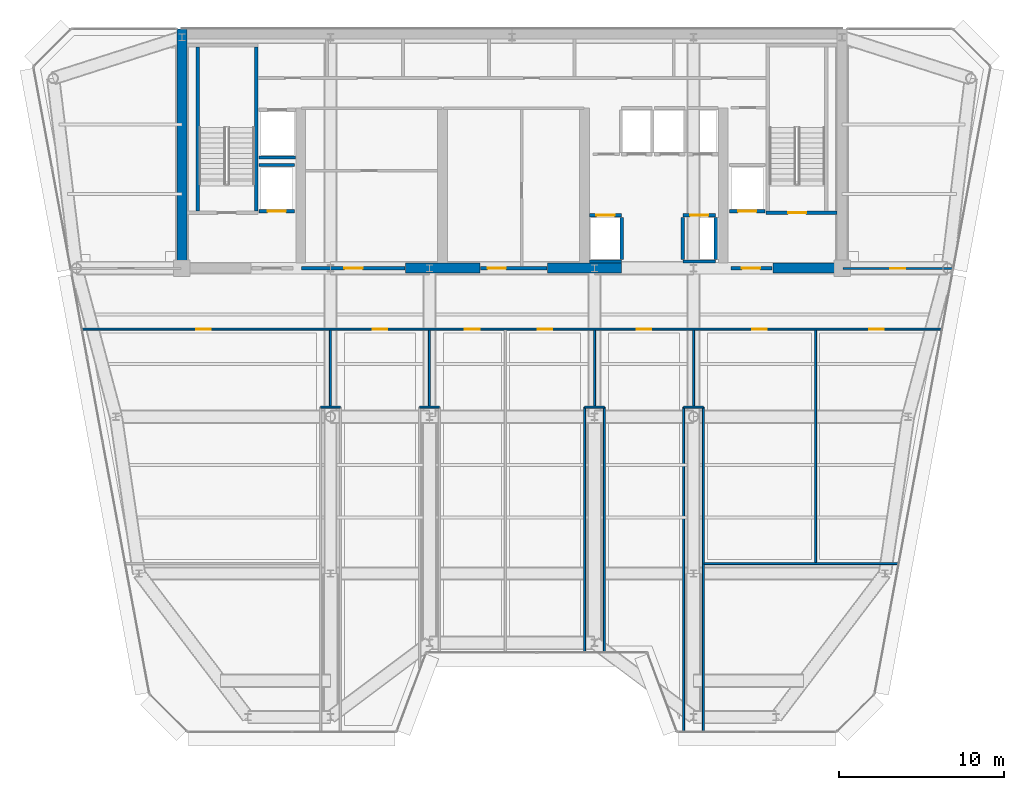
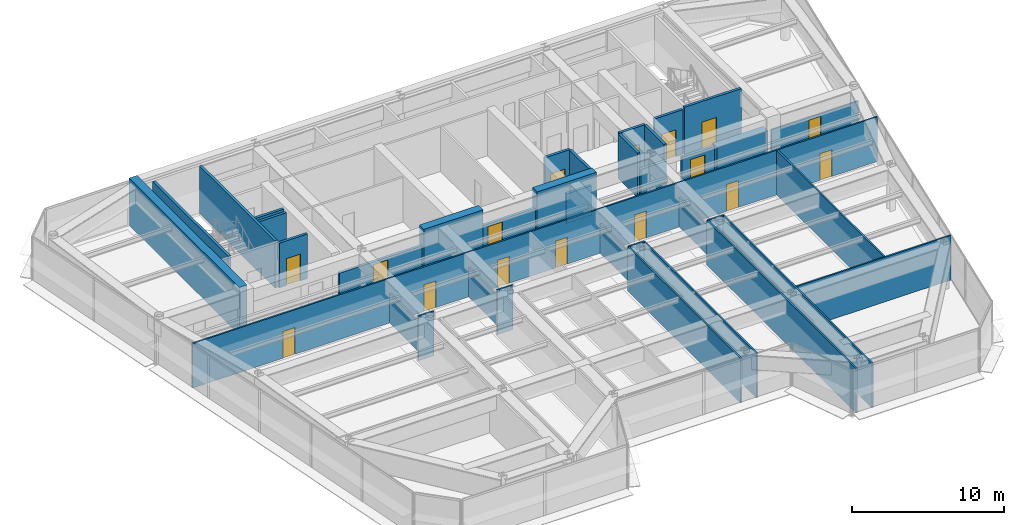
# One storey, part 11 of 17: 37 walls, 16 doors, 16 openings.
"""IFC4 building model written with IfcOpenShell, lengths in metres."""

from ifc_helpers import new_model, si_unit, direction, frame, frame_2d, origin, place, context, subcontext, project, spatial, rectangle, extrude, source, transform, mapped, material, layer, layer_set, type_object, element, fill, save


model = new_model("IFC4")

# Units and contexts
model_context = context("Model", 3, precision=1e-05, world=origin(), true_north=direction((0.0, 1.0)))
body_context = subcontext(model_context, "Body", "Model", "MODEL_VIEW")
ifc_project = project(units=[si_unit("LENGTHUNIT", "METRE"), si_unit("AREAUNIT", "SQUARE_METRE"), si_unit("VOLUMEUNIT", "CUBIC_METRE"), si_unit("PLANEANGLEUNIT", "RADIAN"), si_unit("MASSUNIT", "GRAM", prefix="KILO")], contexts=[model_context])

# Site, building, storey
site_placement = place(None, origin())
site = spatial("IfcSite", under=ifc_project, at=site_placement, CompositionType="ELEMENT")
building_placement = place(site_placement, origin())
building = spatial("IfcBuilding", under=site, at=building_placement, Name="Vaeldorn Concourse Tower", CompositionType="ELEMENT")
storey_placement = place(building_placement, frame((0.0, 0.0, 234.60009765625)))
storey = spatial("IfcBuildingStorey", under=building, at=storey_placement, Name="L60", CompositionType="ELEMENT", Elevation=234.60009765625)

# Walls
ifc_material_1 = material(Name="Concrete C50/60", Category="concrete")
ifc_layer_1 = layer(ifc_material_1, 0.60009765625)
ifc_layer_set_1 = layer_set([ifc_layer_1], Name="Concrete C50/60")
wall_type_1 = type_object("IfcWallType", Name="WL-CORE-600", PredefinedType="SHEAR", material=ifc_layer_set_1)
wall_1_placement = place(storey_placement, frame((14.0, 36.5, 0.0), z_axis=(0.0, 0.0, 1.0), x_axis=(0.0, 1.0, 0.0)))
element("IfcWall", 1, at=wall_1_placement, inside=storey, type_object=wall_type_1, Name="Rear Core Shear Wall L60 W1", PredefinedType="SHEAR", context=body_context, shape_type="SweptSolid", body=[
    extrude(rectangle(XDim=14.5, YDim=0.60009765625, at=frame_2d((7.25, 0.0))), origin(), (0.0, 0.0, 1.0), 3.7998046875),
])
for number, where, z_axis, x_axis, name in (
    (2, (27.550048828125, 36.5, 0.0), (0.0, 0.0, 1.0), (1.0, 0.0, 0.0), "Rear Core Shear Wall L60 S2"),
    (3, (36.14990234375, 36.5, 0.0), (0.0, 0.0, 1.0), (1.0, 0.0, 0.0), "Rear Core Shear Wall L60 S3"),
):
    element("IfcWall", number, at=place(storey_placement, frame(where, z_axis=z_axis, x_axis=x_axis)), inside=storey, type_object=wall_type_1, Name=name, PredefinedType="SHEAR", context=body_context, shape_type="SweptSolid", body=[
        extrude(rectangle(XDim=4.5, YDim=0.60009765625, at=frame_2d((2.25, 0.0))), origin(), (0.0, 0.0, 1.0), 3.7998046875),
    ])
wall_2_placement = place(storey_placement, frame((49.800048828125, 36.5, 0.0), z_axis=(0.0, 0.0, 1.0), x_axis=(1.0, 0.0, 0.0)))
element("IfcWall", 4, at=wall_2_placement, inside=storey, type_object=wall_type_1, Name="Rear Core Shear Wall L60 S4", PredefinedType="SHEAR", context=body_context, shape_type="SweptSolid", body=[
    extrude(rectangle(XDim=3.8798828125, YDim=0.60009765625, at=frame_2d((1.93994140625, 0.0))), origin(), (0.0, 0.0, 1.0), 2.579833984375),
])

# Wall, openings, doors
ifc_material_2 = material(Name="Gypsum Board Partition", Category="gypsum")
ifc_layer_2 = layer(ifc_material_2, 0.1201171875)
ifc_layer_set_2 = layer_set([ifc_layer_2], Name="Gypsum Board Partition")
wall_type_2 = type_object("IfcWallType", Name="WL-PART-120", PredefinedType="PARTITIONING", material=ifc_layer_set_2)
wall_3_placement = place(storey_placement, frame((7.981201171875, 32.800048828125, 0.0), z_axis=(0.0, 0.0, 1.0), x_axis=(1.0, 0.0, 0.0)))
wall_3 = element("IfcWall", 5, at=wall_3_placement, inside=storey, type_object=wall_type_2, Name="Interior Wall PW-L60-C2S", PredefinedType="PARTITIONING", context=body_context, shape_type="SweptSolid", body=[
    extrude(rectangle(XDim=52.03759765625, YDim=0.1201171875, at=frame_2d((26.018798828125, 0.0))), origin(), (0.0, 0.0, 1.0), 3.579833984375),
])
opening_1_placement = place(wall_3_placement, frame((6.87890625, 0.0, 0.0)))
opening_1 = element("IfcOpeningElement", 6, at=opening_1_placement, cuts=wall_3, Name="Opening D-03", PredefinedType="OPENING", context=body_context, shape_type="SweptSolid", body=[
    extrude(rectangle(XDim=0.89990234375, YDim=2.14990234375, at=frame_2d((0.449951171875, 1.074951171875))), frame((0.0, 0.070068359375, 0.0), z_axis=(0.0, -1.0, 0.0), x_axis=(1.0, 0.0, 0.0)), (0.0, 0.0, 1.0), 0.14013671875),
])
opening_2_placement = place(wall_3_placement, frame((17.569091796875, 0.0, 0.0)))
opening_2 = element("IfcOpeningElement", 7, at=opening_2_placement, cuts=wall_3, Name="Opening D-03", PredefinedType="OPENING", context=body_context, shape_type="SweptSolid", body=[
    extrude(rectangle(XDim=0.89990234375, YDim=2.14990234375, at=frame_2d((0.449951171875, 1.074951171875))), frame((0.0, 0.070068359375, 0.0), z_axis=(0.0, -1.0, 0.0), x_axis=(1.0, 0.0, 0.0)), (0.0, 0.0, 1.0), 0.14013671875),
])
opening_3_placement = place(wall_3_placement, frame((23.1689453125, 0.0, 0.0)))
opening_3 = element("IfcOpeningElement", 8, at=opening_3_placement, cuts=wall_3, Name="Opening D-03", PredefinedType="OPENING", context=body_context, shape_type="SweptSolid", body=[
    extrude(rectangle(XDim=0.89990234375, YDim=2.14990234375, at=frame_2d((0.449951171875, 1.074951171875))), frame((0.0, 0.070068359375, 0.0), z_axis=(0.0, -1.0, 0.0), x_axis=(1.0, 0.0, 0.0)), (0.0, 0.0, 1.0), 0.14013671875),
])
opening_4_placement = place(wall_3_placement, frame((27.569091796875, 0.0, 0.0)))
opening_4 = element("IfcOpeningElement", 9, at=opening_4_placement, cuts=wall_3, Name="Opening D-03", PredefinedType="OPENING", context=body_context, shape_type="SweptSolid", body=[
    extrude(rectangle(XDim=0.89990234375, YDim=2.14990234375, at=frame_2d((0.449951171875, 1.074951171875))), frame((0.0, 0.070068359375, 0.0), z_axis=(0.0, -1.0, 0.0), x_axis=(1.0, 0.0, 0.0)), (0.0, 0.0, 1.0), 0.14013671875),
])
opening_5_placement = place(wall_3_placement, frame((33.569091796875, 0.0, 0.0)))
opening_5 = element("IfcOpeningElement", 10, at=opening_5_placement, cuts=wall_3, Name="Opening D-03", PredefinedType="OPENING", context=body_context, shape_type="SweptSolid", body=[
    extrude(rectangle(XDim=0.89990234375, YDim=2.14990234375, at=frame_2d((0.449951171875, 1.074951171875))), frame((0.0, 0.070068359375, 0.0), z_axis=(0.0, -1.0, 0.0), x_axis=(1.0, 0.0, 0.0)), (0.0, 0.0, 1.0), 0.14013671875),
])
opening_6_placement = place(wall_3_placement, frame((40.569091796875, 0.0, 0.0)))
opening_6 = element("IfcOpeningElement", 11, at=opening_6_placement, cuts=wall_3, Name="Opening D-03", PredefinedType="OPENING", context=body_context, shape_type="SweptSolid", body=[
    extrude(rectangle(XDim=0.89990234375, YDim=2.14990234375, at=frame_2d((0.449951171875, 1.074951171875))), frame((0.0, 0.070068359375, 0.0), z_axis=(0.0, -1.0, 0.0), x_axis=(1.0, 0.0, 0.0)), (0.0, 0.0, 1.0), 0.14013671875),
])
opening_7_placement = place(wall_3_placement, frame((47.657958984375, 0.0, 0.0)))
opening_7 = element("IfcOpeningElement", 12, at=opening_7_placement, cuts=wall_3, Name="Opening D-03", PredefinedType="OPENING", context=body_context, shape_type="SweptSolid", body=[
    extrude(rectangle(XDim=0.89990234375, YDim=2.14990234375, at=frame_2d((0.449951171875, 1.074951171875))), frame((0.0, 0.070068359375, 0.0), z_axis=(0.0, -1.0, 0.0), x_axis=(1.0, 0.0, 0.0)), (0.0, 0.0, 1.0), 0.14013671875),
])
ifc_material_3 = material(Name="Acoustic Bronze-Framed Glass Door", Category="glass")
door_type_1 = type_object("IfcDoorType", Name="DR-INT-900", OperationType="NOTDEFINED", PredefinedType="DOOR", material=ifc_material_3)
shared_shape_1 = source(origin(), body_context, "Body", "SweptSolid", [
    extrude(rectangle(XDim=0.89990234375, YDim=2.14990234375, at=frame_2d((0.449951171875, 1.074951171875))), frame((0.0, 0.02490234375, 0.0), z_axis=(0.0, -1.0, 0.0), x_axis=(1.0, 0.0, 0.0)), (0.0, 0.0, 1.0), 0.050048828125),
])
door_1_placement = place(opening_1_placement, origin())
door_1 = element("IfcDoor", 13, at=door_1_placement, inside=storey, type_object=door_type_1, Name="Interior Door DR-L60-SBR1", OperationType="SINGLE_SWING_LEFT", OverallHeight=2.14990234375, OverallWidth=0.89990234375, PredefinedType="DOOR", context=body_context, shape_type="MappedRepresentation", body=[
    mapped(shared_shape_1, transform((0.0, 0.0, 0.0), scale=1.0)),
])
fill(opening_1, door_1)
door_2_placement = place(opening_2_placement, origin())
door_2 = element("IfcDoor", 14, at=door_2_placement, inside=storey, type_object=door_type_1, Name="Interior Door DR-L60-SBR2", OperationType="SINGLE_SWING_RIGHT", OverallHeight=2.14990234375, OverallWidth=0.89990234375, PredefinedType="DOOR", context=body_context, shape_type="MappedRepresentation", body=[
    mapped(shared_shape_1, transform((0.0, 0.0, 0.0), scale=1.0)),
])
fill(opening_2, door_2)
door_3_placement = place(opening_3_placement, origin())
door_3 = element("IfcDoor", 15, at=door_3_placement, inside=storey, type_object=door_type_1, Name="Interior Door DR-L60-SBR3", OperationType="SINGLE_SWING_LEFT", OverallHeight=2.14990234375, OverallWidth=0.89990234375, PredefinedType="DOOR", context=body_context, shape_type="MappedRepresentation", body=[
    mapped(shared_shape_1, transform((0.0, 0.0, 0.0), scale=1.0)),
])
fill(opening_3, door_3)
door_4_placement = place(opening_4_placement, origin())
door_4 = element("IfcDoor", 16, at=door_4_placement, inside=storey, type_object=door_type_1, Name="Interior Door DR-L60-SBR4", OperationType="SINGLE_SWING_RIGHT", OverallHeight=2.14990234375, OverallWidth=0.89990234375, PredefinedType="DOOR", context=body_context, shape_type="MappedRepresentation", body=[
    mapped(shared_shape_1, transform((0.0, 0.0, 0.0), scale=1.0)),
])
fill(opening_4, door_4)
door_5_placement = place(opening_5_placement, origin())
door_5 = element("IfcDoor", 17, at=door_5_placement, inside=storey, type_object=door_type_1, Name="Interior Door DR-L60-SBR5", OperationType="SINGLE_SWING_LEFT", OverallHeight=2.14990234375, OverallWidth=0.89990234375, PredefinedType="DOOR", context=body_context, shape_type="MappedRepresentation", body=[
    mapped(shared_shape_1, transform((0.0, 0.0, 0.0), scale=1.0)),
])
fill(opening_5, door_5)
door_6_placement = place(opening_6_placement, origin())
door_6 = element("IfcDoor", 18, at=door_6_placement, inside=storey, type_object=door_type_1, Name="Interior Door DR-L60-SBR6", OperationType="SINGLE_SWING_RIGHT", OverallHeight=2.14990234375, OverallWidth=0.89990234375, PredefinedType="DOOR", context=body_context, shape_type="MappedRepresentation", body=[
    mapped(shared_shape_1, transform((0.0, 0.0, 0.0), scale=1.0)),
])
fill(opening_6, door_6)
door_7_placement = place(opening_7_placement, origin())
door_7 = element("IfcDoor", 19, at=door_7_placement, inside=storey, type_object=door_type_1, Name="Interior Door DR-L60-SBR7", OperationType="SINGLE_SWING_LEFT", OverallHeight=2.14990234375, OverallWidth=0.89990234375, PredefinedType="DOOR", context=body_context, shape_type="MappedRepresentation", body=[
    mapped(shared_shape_1, transform((0.0, 0.0, 0.0), scale=1.0)),
])
fill(opening_7, door_7)

# Wall, opening, door
wall_4_placement = place(storey_placement, frame((54.06005859375, 36.47998046875, 0.0), z_axis=(0.0, 0.0, 1.0), x_axis=(1.0, 0.0, 0.0)))
wall_4 = element("IfcWall", 20, at=wall_4_placement, inside=storey, type_object=wall_type_2, Name="Interior Wall PW-L60-NES", PredefinedType="PARTITIONING", context=body_context, shape_type="SweptSolid", body=[
    extrude(rectangle(XDim=6.634033203125, YDim=0.1201171875, at=frame_2d((3.31689453125, 0.0))), origin(), (0.0, 0.0, 1.0), 2.369873046875),
])
opening_8_placement = place(wall_4_placement, frame((2.866943359375, 0.0, 0.0)))
opening_8 = element("IfcOpeningElement", 21, at=opening_8_placement, cuts=wall_4, Name="Opening D-03", PredefinedType="OPENING", context=body_context, shape_type="SweptSolid", body=[
    extrude(rectangle(XDim=0.89990234375, YDim=2.14990234375, at=frame_2d((0.449951171875, 1.074951171875))), frame((0.0, 0.070068359375, 0.0), z_axis=(0.0, -1.0, 0.0), x_axis=(1.0, 0.0, 0.0)), (0.0, 0.0, 1.0), 0.14013671875),
])
door_8_placement = place(opening_8_placement, origin())
door_8 = element("IfcDoor", 22, at=door_8_placement, inside=storey, type_object=door_type_1, Name="Interior Door DR-L60-NEC", OperationType="SINGLE_SWING_RIGHT", OverallHeight=2.14990234375, OverallWidth=0.89990234375, PredefinedType="DOOR", context=body_context, shape_type="MappedRepresentation", body=[
    mapped(shared_shape_1, transform((0.0, 0.0, 0.0), scale=1.0)),
])
fill(opening_8, door_8)

# Walls
wall_5_placement = place(storey_placement, frame((45.639892578125, 18.60009765625, 0.0), z_axis=(0.0, 0.0, 1.0), x_axis=(1.0, 0.0, 0.0)))
element("IfcWall", 23, at=wall_5_placement, inside=storey, type_object=wall_type_2, Name="Interior Wall PW-L60-FLE", PredefinedType="PARTITIONING", context=body_context, shape_type="SweptSolid", body=[
    extrude(rectangle(XDim=11.75244140625, YDim=0.1201171875, at=frame_2d((5.876220703125, 0.0))), origin(), (0.0, 0.0, 1.0), 3.579833984375),
])
wall_6_placement = place(storey_placement, frame((22.39990234375, 28.080078125, 0.0), z_axis=(0.0, 0.0, 1.0), x_axis=(1.0, 0.0, 0.0)))
element("IfcWall", 24, at=wall_6_placement, inside=storey, type_object=wall_type_2, Name="Interior Wall PW-L60-SB1N", PredefinedType="PARTITIONING", context=body_context, shape_type="SweptSolid", body=[
    extrude(rectangle(XDim=1.2001953125, YDim=0.1201171875, at=frame_2d((0.60009765625, 0.0))), origin(), (0.0, 0.0, 1.0), 3.579833984375),
])
wall_7_placement = place(storey_placement, frame((23.0, 28.139892578125, 0.0), z_axis=(0.0, 0.0, 1.0), x_axis=(0.0, 1.0, 0.0)))
element("IfcWall", 25, at=wall_7_placement, inside=storey, type_object=wall_type_2, Name="Interior Wall PW-L60-SBP1", PredefinedType="PARTITIONING", context=body_context, shape_type="SweptSolid", body=[
    extrude(rectangle(XDim=4.60009765625, YDim=0.1201171875, at=frame_2d((2.300048828125, 0.0))), origin(), (0.0, 0.0, 1.0), 2.369873046875),
])
wall_8_placement = place(storey_placement, frame((28.39990234375, 28.080078125, 0.0), z_axis=(0.0, 0.0, 1.0), x_axis=(1.0, 0.0, 0.0)))
element("IfcWall", 26, at=wall_8_placement, inside=storey, type_object=wall_type_2, Name="Interior Wall PW-L60-SB2N", PredefinedType="PARTITIONING", context=body_context, shape_type="SweptSolid", body=[
    extrude(rectangle(XDim=1.2001953125, YDim=0.1201171875, at=frame_2d((0.60009765625, 0.0))), origin(), (0.0, 0.0, 1.0), 3.579833984375),
])
wall_9_placement = place(storey_placement, frame((29.0, 28.139892578125, 0.0), z_axis=(0.0, 0.0, 1.0), x_axis=(0.0, 1.0, 0.0)))
element("IfcWall", 27, at=wall_9_placement, inside=storey, type_object=wall_type_2, Name="Interior Wall PW-L60-SBP2", PredefinedType="PARTITIONING", context=body_context, shape_type="SweptSolid", body=[
    extrude(rectangle(XDim=4.60009765625, YDim=0.1201171875, at=frame_2d((2.300048828125, 0.0))), origin(), (0.0, 0.0, 1.0), 2.369873046875),
])
for number, where, z_axis, x_axis, name in (
    (28, (38.39990234375, 13.239990234375, 0.0), (0.0, 0.0, 1.0), (0.0, 1.0, 0.0), "Interior Wall PW-L60-SB3W"),
    (29, (39.60009765625, 13.239990234375, 0.0), (0.0, 0.0, 1.0), (0.0, 1.0, 0.0), "Interior Wall PW-L60-SB3E"),
):
    element("IfcWall", number, at=place(storey_placement, frame(where, z_axis=z_axis, x_axis=x_axis)), inside=storey, type_object=wall_type_2, Name=name, PredefinedType="PARTITIONING", context=body_context, shape_type="SweptSolid", body=[
        extrude(rectangle(XDim=14.840087890625, YDim=0.1201171875, at=frame_2d((7.419921875, 0.0))), origin(), (0.0, 0.0, 1.0), 3.579833984375),
    ])
wall_10_placement = place(storey_placement, frame((38.39990234375, 28.080078125, 0.0), z_axis=(0.0, 0.0, 1.0), x_axis=(1.0, 0.0, 0.0)))
element("IfcWall", 30, at=wall_10_placement, inside=storey, type_object=wall_type_2, Name="Interior Wall PW-L60-SB3N", PredefinedType="PARTITIONING", context=body_context, shape_type="SweptSolid", body=[
    extrude(rectangle(XDim=1.2001953125, YDim=0.1201171875, at=frame_2d((0.60009765625, 0.0))), origin(), (0.0, 0.0, 1.0), 3.579833984375),
])
wall_11_placement = place(storey_placement, frame((39.0, 28.139892578125, 0.0), z_axis=(0.0, 0.0, 1.0), x_axis=(0.0, 1.0, 0.0)))
element("IfcWall", 31, at=wall_11_placement, inside=storey, type_object=wall_type_2, Name="Interior Wall PW-L60-SBP3", PredefinedType="PARTITIONING", context=body_context, shape_type="SweptSolid", body=[
    extrude(rectangle(XDim=4.60009765625, YDim=0.1201171875, at=frame_2d((2.300048828125, 0.0))), origin(), (0.0, 0.0, 1.0), 2.369873046875),
])
for number, where, z_axis, x_axis, name in (
    (32, (44.39990234375, 8.43994140625, 0.0), (0.0, 0.0, 1.0), (0.0, 1.0, 0.0), "Interior Wall PW-L60-SB4W"),
    (33, (45.60009765625, 8.43994140625, 0.0), (0.0, 0.0, 1.0), (0.0, 1.0, 0.0), "Interior Wall PW-L60-SB4E"),
):
    element("IfcWall", number, at=place(storey_placement, frame(where, z_axis=z_axis, x_axis=x_axis)), inside=storey, type_object=wall_type_2, Name=name, PredefinedType="PARTITIONING", context=body_context, shape_type="SweptSolid", body=[
        extrude(rectangle(XDim=19.64013671875, YDim=0.1201171875, at=frame_2d((9.820068359375, 0.0))), origin(), (0.0, 0.0, 1.0), 3.579833984375),
    ])
wall_12_placement = place(storey_placement, frame((44.39990234375, 28.080078125, 0.0), z_axis=(0.0, 0.0, 1.0), x_axis=(1.0, 0.0, 0.0)))
element("IfcWall", 34, at=wall_12_placement, inside=storey, type_object=wall_type_2, Name="Interior Wall PW-L60-SB4N", PredefinedType="PARTITIONING", context=body_context, shape_type="SweptSolid", body=[
    extrude(rectangle(XDim=1.2001953125, YDim=0.1201171875, at=frame_2d((0.60009765625, 0.0))), origin(), (0.0, 0.0, 1.0), 3.579833984375),
])
wall_13_placement = place(storey_placement, frame((45.0, 28.139892578125, 0.0), z_axis=(0.0, 0.0, 1.0), x_axis=(0.0, 1.0, 0.0)))
element("IfcWall", 35, at=wall_13_placement, inside=storey, type_object=wall_type_2, Name="Interior Wall PW-L60-SBP4", PredefinedType="PARTITIONING", context=body_context, shape_type="SweptSolid", body=[
    extrude(rectangle(XDim=4.60009765625, YDim=0.1201171875, at=frame_2d((2.300048828125, 0.0))), origin(), (0.0, 0.0, 1.0), 2.369873046875),
])
wall_14_placement = place(storey_placement, frame((52.39990234375, 18.639892578125, 0.0), z_axis=(0.0, 0.0, 1.0), x_axis=(0.0, 1.0, 0.0)))
element("IfcWall", 36, at=wall_14_placement, inside=storey, type_object=wall_type_2, Name="Interior Wall PW-L60-SBX6", PredefinedType="PARTITIONING", context=body_context, shape_type="SweptSolid", body=[
    extrude(rectangle(XDim=14.10009765625, YDim=0.1201171875, at=frame_2d((7.050048828125, 0.0))), origin(), (0.0, 0.0, 1.0), 3.579833984375),
])
ifc_layer_3 = layer(ifc_material_1, 0.199951171875)
ifc_layer_set_3 = layer_set([ifc_layer_3], Name="Concrete C50/60")
wall_type_3 = type_object("IfcWallType", Name="WL-SHAFT-200", PredefinedType="SOLIDWALL", material=ifc_layer_set_3)
for number, where, z_axis, x_axis, name in (
    (37, (14.949951171875, 39.9599609375, 0.0), (0.0, 0.0, 1.0), (0.0, 1.0, 0.0), "Stair Shaft Wall CW-L60-ST-1-W"),
    (38, (18.5, 39.9599609375, 0.0), (0.0, 0.0, 1.0), (0.0, 1.0, 0.0), "Stair Shaft Wall CW-L60-ST-1-E"),
):
    element("IfcWall", number, at=place(storey_placement, frame(where, z_axis=z_axis, x_axis=x_axis)), inside=storey, type_object=wall_type_3, Name=name, PredefinedType="SOLIDWALL", context=body_context, shape_type="SweptSolid", body=[
        extrude(rectangle(XDim=9.929931640625, YDim=0.199951171875, at=frame_2d((4.96484375, 0.0))), origin(), (0.0, 0.0, 1.0), 3.7998046875),
    ])

# Wall, opening, door
wall_15_placement = place(storey_placement, frame((49.39990234375, 39.85009765625, 0.0), z_axis=(0.0, 0.0, 1.0), x_axis=(1.0, 0.0, 0.0)))
wall_15 = element("IfcWall", 39, at=wall_15_placement, inside=storey, type_object=wall_type_3, Name="Stair Shaft Wall CW-L60-ST-2-S", PredefinedType="SOLIDWALL", context=body_context, shape_type="SweptSolid", body=[
    extrude(rectangle(XDim=4.300048828125, YDim=0.199951171875, at=frame_2d((2.14990234375, 0.0))), origin(), (0.0, 0.0, 1.0), 3.7998046875),
])
opening_9_placement = place(wall_15_placement, frame((1.324951171875, 0.0, 0.0)))
opening_9 = element("IfcOpeningElement", 40, at=opening_9_placement, cuts=wall_15, Name="Opening D-01", PredefinedType="OPENING", context=body_context, shape_type="SweptSolid", body=[
    extrude(rectangle(XDim=1.10009765625, YDim=2.14990234375, at=frame_2d((0.550048828125, 1.074951171875))), frame((0.0, 0.10986328125, 0.0), z_axis=(0.0, -1.0, 0.0), x_axis=(1.0, 0.0, 0.0)), (0.0, 0.0, 1.0), 0.219970703125),
])
ifc_material_4 = material(Name="Fire-Rated Timber and Steel Leaf", Category="steel")
door_type_2 = type_object("IfcDoorType", Name="DR-FD60-1100", OperationType="NOTDEFINED", PredefinedType="DOOR", material=ifc_material_4)
shared_shape_2 = source(origin(), body_context, "Body", "SweptSolid", [
    extrude(rectangle(XDim=1.10009765625, YDim=2.14990234375, at=frame_2d((0.550048828125, 1.074951171875))), frame((0.0, 0.02490234375, 0.0), z_axis=(0.0, -1.0, 0.0), x_axis=(1.0, 0.0, 0.0)), (0.0, 0.0, 1.0), 0.050048828125),
])
door_9_placement = place(opening_9_placement, origin())
door_9 = element("IfcDoor", 41, at=door_9_placement, inside=storey, type_object=door_type_2, Name="Interior Door DR-L60-ST-2", OperationType="SINGLE_SWING_RIGHT", OverallHeight=2.14990234375, OverallWidth=1.10009765625, PredefinedType="DOOR", context=body_context, shape_type="MappedRepresentation", body=[
    mapped(shared_shape_2, transform((0.0, 0.0, 0.0), scale=1.0)),
])
fill(opening_9, door_9)

wall_16_placement = place(storey_placement, frame((47.280029296875, 36.5, 0.0), z_axis=(0.0, 0.0, 1.0), x_axis=(1.0, 0.0, 0.0)))
wall_16 = element("IfcWall", 42, at=wall_16_placement, inside=storey, type_object=wall_type_3, Name="Interior Wall CW-L60-FF2S", PredefinedType="SOLIDWALL", context=body_context, shape_type="SweptSolid", body=[
    extrude(rectangle(XDim=2.469970703125, YDim=0.199951171875, at=frame_2d((1.23486328125, 0.0))), origin(), (0.0, 0.0, 1.0), 2.56982421875),
])
opening_10_placement = place(wall_16_placement, frame((0.64990234375, 0.0, 0.0)))
opening_10 = element("IfcOpeningElement", 43, at=opening_10_placement, cuts=wall_16, Name="Opening D-01", PredefinedType="OPENING", context=body_context, shape_type="SweptSolid", body=[
    extrude(rectangle(XDim=1.10009765625, YDim=2.14990234375, at=frame_2d((0.550048828125, 1.074951171875))), frame((0.0, 0.10986328125, 0.0), z_axis=(0.0, -1.0, 0.0), x_axis=(1.0, 0.0, 0.0)), (0.0, 0.0, 1.0), 0.219970703125),
])
door_10_placement = place(opening_10_placement, origin())
door_10 = element("IfcDoor", 44, at=door_10_placement, inside=storey, type_object=door_type_2, Name="Interior Door DR-L60-FF2W", OperationType="SINGLE_SWING_LEFT", OverallHeight=2.14990234375, OverallWidth=1.10009765625, PredefinedType="DOOR", context=body_context, shape_type="MappedRepresentation", body=[
    mapped(shared_shape_2, transform((0.0, 0.0, 0.0), scale=1.0)),
])
fill(opening_10, door_10)

wall_17_placement = place(storey_placement, frame((38.7099609375, 39.699951171875, 0.0), z_axis=(0.0, 0.0, 1.0), x_axis=(1.0, 0.0, 0.0)))
wall_17 = element("IfcWall", 45, at=wall_17_placement, inside=storey, type_object=wall_type_3, Name="Interior Wall CW-L60-LF-LF-13", PredefinedType="SOLIDWALL", context=body_context, shape_type="SweptSolid", body=[
    extrude(rectangle(XDim=1.919921875, YDim=0.199951171875, at=frame_2d((0.9599609375, 0.0))), origin(), (0.0, 0.0, 1.0), 3.579833984375),
])
opening_11_placement = place(wall_17_placement, frame((0.409912109375, 0.0, 0.0)))
opening_11 = element("IfcOpeningElement", 46, at=opening_11_placement, cuts=wall_17, Name="Opening LD-1", PredefinedType="OPENING", context=body_context, shape_type="SweptSolid", body=[
    extrude(rectangle(XDim=1.10009765625, YDim=2.14990234375, at=frame_2d((0.550048828125, 1.074951171875))), frame((0.0, 0.10986328125, 0.0), z_axis=(0.0, -1.0, 0.0), x_axis=(1.0, 0.0, 0.0)), (0.0, 0.0, 1.0), 0.219970703125),
])
ifc_material_5 = material(Name="Anodised Bronze Aluminium", Category="aluminium")
door_type_3 = type_object("IfcDoorType", Name="DR-LIFT-SLIDE-1100", OperationType="DOUBLE_DOOR_SLIDING", PredefinedType="DOOR", material=ifc_material_5)
door_11_placement = place(opening_11_placement, origin())
door_11 = element("IfcDoor", 47, at=door_11_placement, inside=storey, type_object=door_type_3, Name="Lift Landing Door LD-L60-LF-13", OperationType="DOUBLE_DOOR_SLIDING", OverallHeight=2.14990234375, OverallWidth=1.10009765625, PredefinedType="DOOR", context=body_context, shape_type="MappedRepresentation", body=[
    mapped(shared_shape_2, transform((0.0, 0.0, 0.0), scale=1.0)),
])
fill(opening_11, door_11)

# Walls
wall_18_placement = place(storey_placement, frame((38.7099609375, 36.89990234375, 0.0), z_axis=(0.0, 0.0, 1.0), x_axis=(1.0, 0.0, 0.0)))
element("IfcWall", 48, at=wall_18_placement, inside=storey, type_object=wall_type_3, Name="Interior Wall CW-L60-LFB-LF-13", PredefinedType="SOLIDWALL", context=body_context, shape_type="SweptSolid", body=[
    extrude(rectangle(XDim=1.919921875, YDim=0.199951171875, at=frame_2d((0.9599609375, 0.0))), origin(), (0.0, 0.0, 1.0), 2.369873046875),
])
wall_19_placement = place(storey_placement, frame((40.64990234375, 37.02001953125, 0.0), z_axis=(0.0, 0.0, 1.0), x_axis=(0.0, 1.0, 0.0)))
element("IfcWall", 49, at=wall_19_placement, inside=storey, type_object=wall_type_3, Name="Interior Wall CW-L60-LFE-LF-13", PredefinedType="SOLIDWALL", context=body_context, shape_type="SweptSolid", body=[
    extrude(rectangle(XDim=2.56005859375, YDim=0.199951171875, at=frame_2d((1.280029296875, 0.0))), origin(), (0.0, 0.0, 1.0), 3.579833984375),
])

# Wall, opening, door
wall_20_placement = place(storey_placement, frame((44.3701171875, 39.699951171875, 0.0), z_axis=(0.0, 0.0, 1.0), x_axis=(1.0, 0.0, 0.0)))
wall_20 = element("IfcWall", 50, at=wall_20_placement, inside=storey, type_object=wall_type_3, Name="Interior Wall CW-L60-LF-LF-14", PredefinedType="SOLIDWALL", context=body_context, shape_type="SweptSolid", body=[
    extrude(rectangle(XDim=1.9599609375, YDim=0.199951171875, at=frame_2d((0.97998046875, 0.0))), origin(), (0.0, 0.0, 1.0), 3.579833984375),
])
opening_12_placement = place(wall_20_placement, frame((0.429931640625, 0.0, 0.0)))
opening_12 = element("IfcOpeningElement", 51, at=opening_12_placement, cuts=wall_20, Name="Opening LD-1", PredefinedType="OPENING", context=body_context, shape_type="SweptSolid", body=[
    extrude(rectangle(XDim=1.10009765625, YDim=2.14990234375, at=frame_2d((0.550048828125, 1.074951171875))), frame((0.0, 0.10986328125, 0.0), z_axis=(0.0, -1.0, 0.0), x_axis=(1.0, 0.0, 0.0)), (0.0, 0.0, 1.0), 0.219970703125),
])
door_12_placement = place(opening_12_placement, origin())
door_12 = element("IfcDoor", 52, at=door_12_placement, inside=storey, type_object=door_type_3, Name="Lift Landing Door LD-L60-LF-14", OperationType="DOUBLE_DOOR_SLIDING", OverallHeight=2.14990234375, OverallWidth=1.10009765625, PredefinedType="DOOR", context=body_context, shape_type="MappedRepresentation", body=[
    mapped(shared_shape_2, transform((0.0, 0.0, 0.0), scale=1.0)),
])
fill(opening_12, door_12)

# Walls
wall_21_placement = place(storey_placement, frame((44.3701171875, 36.89990234375, 0.0), z_axis=(0.0, 0.0, 1.0), x_axis=(1.0, 0.0, 0.0)))
element("IfcWall", 53, at=wall_21_placement, inside=storey, type_object=wall_type_3, Name="Interior Wall CW-L60-LFB-LF-14", PredefinedType="SOLIDWALL", context=body_context, shape_type="SweptSolid", body=[
    extrude(rectangle(XDim=1.9599609375, YDim=0.199951171875, at=frame_2d((0.97998046875, 0.0))), origin(), (0.0, 0.0, 1.0), 2.369873046875),
])
for number, where, z_axis, x_axis, name in (
    (54, (44.35009765625, 37.02001953125, 0.0), (0.0, 0.0, 1.0), (0.0, 1.0, 0.0), "Interior Wall CW-L60-LFW-LF-14"),
    (55, (46.35009765625, 37.02001953125, 0.0), (0.0, 0.0, 1.0), (0.0, 1.0, 0.0), "Interior Wall CW-L60-LFE-LF-14"),
):
    element("IfcWall", number, at=place(storey_placement, frame(where, z_axis=z_axis, x_axis=x_axis)), inside=storey, type_object=wall_type_3, Name=name, PredefinedType="SOLIDWALL", context=body_context, shape_type="SweptSolid", body=[
        extrude(rectangle(XDim=2.56005859375, YDim=0.199951171875, at=frame_2d((1.280029296875, 0.0))), origin(), (0.0, 0.0, 1.0), 3.579833984375),
    ])
wall_22_placement = place(storey_placement, frame((18.669921875, 43.199951171875, 0.0), z_axis=(0.0, 0.0, 1.0), x_axis=(1.0, 0.0, 0.0)))
element("IfcWall", 56, at=wall_22_placement, inside=storey, type_object=wall_type_3, Name="Interior Wall CW-L60-LFB-LF-SV1", PredefinedType="SOLIDWALL", context=body_context, shape_type="SweptSolid", body=[
    extrude(rectangle(XDim=2.219970703125, YDim=0.199951171875, at=frame_2d((1.10986328125, 0.0))), origin(), (0.0, 0.0, 1.0), 3.579833984375),
])

# Wall, opening, door
wall_23_placement = place(storey_placement, frame((18.669921875, 39.949951171875, 0.0), z_axis=(0.0, 0.0, 1.0), x_axis=(1.0, 0.0, 0.0)))
wall_23 = element("IfcWall", 57, at=wall_23_placement, inside=storey, type_object=wall_type_3, Name="Interior Wall CW-L60-LF-LF-FF1", PredefinedType="SOLIDWALL", context=body_context, shape_type="SweptSolid", body=[
    extrude(rectangle(XDim=2.16015625, YDim=0.199951171875, at=frame_2d((1.080078125, 0.0))), origin(), (0.0, 0.0, 1.0), 3.579833984375),
])
opening_13_placement = place(wall_23_placement, frame((0.530029296875, 0.0, 0.0)))
opening_13 = element("IfcOpeningElement", 58, at=opening_13_placement, cuts=wall_23, Name="Opening LD-1", PredefinedType="OPENING", context=body_context, shape_type="SweptSolid", body=[
    extrude(rectangle(XDim=1.10009765625, YDim=2.14990234375, at=frame_2d((0.550048828125, 1.074951171875))), frame((0.0, 0.10986328125, 0.0), z_axis=(0.0, -1.0, 0.0), x_axis=(1.0, 0.0, 0.0)), (0.0, 0.0, 1.0), 0.219970703125),
])
door_13_placement = place(opening_13_placement, origin())
door_13 = element("IfcDoor", 59, at=door_13_placement, inside=storey, type_object=door_type_3, Name="Lift Landing Door LD-L60-LF-FF1", OperationType="DOUBLE_DOOR_SLIDING", OverallHeight=2.14990234375, OverallWidth=1.10009765625, PredefinedType="DOOR", context=body_context, shape_type="MappedRepresentation", body=[
    mapped(shared_shape_2, transform((0.0, 0.0, 0.0), scale=1.0)),
])
fill(opening_13, door_13)

# Wall
wall_24_placement = place(storey_placement, frame((18.669921875, 42.75, 0.0), z_axis=(0.0, 0.0, 1.0), x_axis=(1.0, 0.0, 0.0)))
element("IfcWall", 60, at=wall_24_placement, inside=storey, type_object=wall_type_3, Name="Interior Wall CW-L60-LFB-LF-FF1", PredefinedType="SOLIDWALL", context=body_context, shape_type="SweptSolid", body=[
    extrude(rectangle(XDim=2.16015625, YDim=0.199951171875, at=frame_2d((1.080078125, 0.0))), origin(), (0.0, 0.0, 1.0), 3.579833984375),
])

# Wall, opening, door
wall_25_placement = place(storey_placement, frame((47.169921875, 39.949951171875, 0.0), z_axis=(0.0, 0.0, 1.0), x_axis=(1.0, 0.0, 0.0)))
wall_25 = element("IfcWall", 61, at=wall_25_placement, inside=storey, type_object=wall_type_3, Name="Interior Wall CW-L60-LF-LF-FF2", PredefinedType="SOLIDWALL", context=body_context, shape_type="SweptSolid", body=[
    extrude(rectangle(XDim=2.16015625, YDim=0.199951171875, at=frame_2d((1.080078125, 0.0))), origin(), (0.0, 0.0, 1.0), 3.579833984375),
])
opening_14_placement = place(wall_25_placement, frame((0.530029296875, 0.0, 0.0)))
opening_14 = element("IfcOpeningElement", 62, at=opening_14_placement, cuts=wall_25, Name="Opening LD-1", PredefinedType="OPENING", context=body_context, shape_type="SweptSolid", body=[
    extrude(rectangle(XDim=1.10009765625, YDim=2.14990234375, at=frame_2d((0.550048828125, 1.074951171875))), frame((0.0, 0.10986328125, 0.0), z_axis=(0.0, -1.0, 0.0), x_axis=(1.0, 0.0, 0.0)), (0.0, 0.0, 1.0), 0.219970703125),
])
door_14_placement = place(opening_14_placement, origin())
door_14 = element("IfcDoor", 63, at=door_14_placement, inside=storey, type_object=door_type_3, Name="Lift Landing Door LD-L60-LF-FF2", OperationType="DOUBLE_DOOR_SLIDING", OverallHeight=2.14990234375, OverallWidth=1.10009765625, PredefinedType="DOOR", context=body_context, shape_type="MappedRepresentation", body=[
    mapped(shared_shape_2, transform((0.0, 0.0, 0.0), scale=1.0)),
])
fill(opening_14, door_14)

wall_26_placement = place(storey_placement, frame((21.25, 36.5, 0.0), z_axis=(0.0, 0.0, 1.0), x_axis=(1.0, 0.0, 0.0)))
wall_26 = element("IfcWall", 64, at=wall_26_placement, inside=storey, type_object=wall_type_3, Name="Interior Wall CW-L60-R1S", PredefinedType="SOLIDWALL", context=body_context, shape_type="SweptSolid", body=[
    extrude(rectangle(XDim=6.27001953125, YDim=0.199951171875, at=frame_2d((3.135009765625, 0.0))), origin(), (0.0, 0.0, 1.0), 2.369873046875),
])
opening_15_placement = place(wall_26_placement, frame((2.60009765625, 0.0, 0.0)))
opening_15 = element("IfcOpeningElement", 65, at=opening_15_placement, cuts=wall_26, Name="Opening D-01", PredefinedType="OPENING", context=body_context, shape_type="SweptSolid", body=[
    extrude(rectangle(XDim=1.10009765625, YDim=2.14990234375, at=frame_2d((0.550048828125, 1.074951171875))), frame((0.0, 0.10986328125, 0.0), z_axis=(0.0, -1.0, 0.0), x_axis=(1.0, 0.0, 0.0)), (0.0, 0.0, 1.0), 0.219970703125),
])
door_15_placement = place(opening_15_placement, origin())
door_15 = element("IfcDoor", 66, at=door_15_placement, inside=storey, type_object=door_type_2, Name="Interior Door DR-L60-R1S", OperationType="SINGLE_SWING_LEFT", OverallHeight=2.14990234375, OverallWidth=1.10009765625, PredefinedType="DOOR", context=body_context, shape_type="MappedRepresentation", body=[
    mapped(shared_shape_2, transform((0.0, 0.0, 0.0), scale=1.0)),
])
fill(opening_15, door_15)

wall_27_placement = place(storey_placement, frame((32.080078125, 36.5, 0.0), z_axis=(0.0, 0.0, 1.0), x_axis=(1.0, 0.0, 0.0)))
wall_27 = element("IfcWall", 67, at=wall_27_placement, inside=storey, type_object=wall_type_3, Name="Interior Wall CW-L60-R2S", PredefinedType="SOLIDWALL", context=body_context, shape_type="SweptSolid", body=[
    extrude(rectangle(XDim=4.0400390625, YDim=0.199951171875, at=frame_2d((2.02001953125, 0.0))), origin(), (0.0, 0.0, 1.0), 2.369873046875),
])
opening_16_placement = place(wall_27_placement, frame((0.449951171875, 0.0, 0.0)))
opening_16 = element("IfcOpeningElement", 68, at=opening_16_placement, cuts=wall_27, Name="Opening D-01", PredefinedType="OPENING", context=body_context, shape_type="SweptSolid", body=[
    extrude(rectangle(XDim=1.10009765625, YDim=2.14990234375, at=frame_2d((0.550048828125, 1.074951171875))), frame((0.0, 0.10986328125, 0.0), z_axis=(0.0, -1.0, 0.0), x_axis=(1.0, 0.0, 0.0)), (0.0, 0.0, 1.0), 0.219970703125),
])
door_16_placement = place(opening_16_placement, origin())
door_16 = element("IfcDoor", 69, at=door_16_placement, inside=storey, type_object=door_type_2, Name="Interior Door DR-L60-R2W", OperationType="SINGLE_SWING_LEFT", OverallHeight=2.14990234375, OverallWidth=1.10009765625, PredefinedType="DOOR", context=body_context, shape_type="MappedRepresentation", body=[
    mapped(shared_shape_2, transform((0.0, 0.0, 0.0), scale=1.0)),
])
fill(opening_16, door_16)

save(model, "model.ifc")
